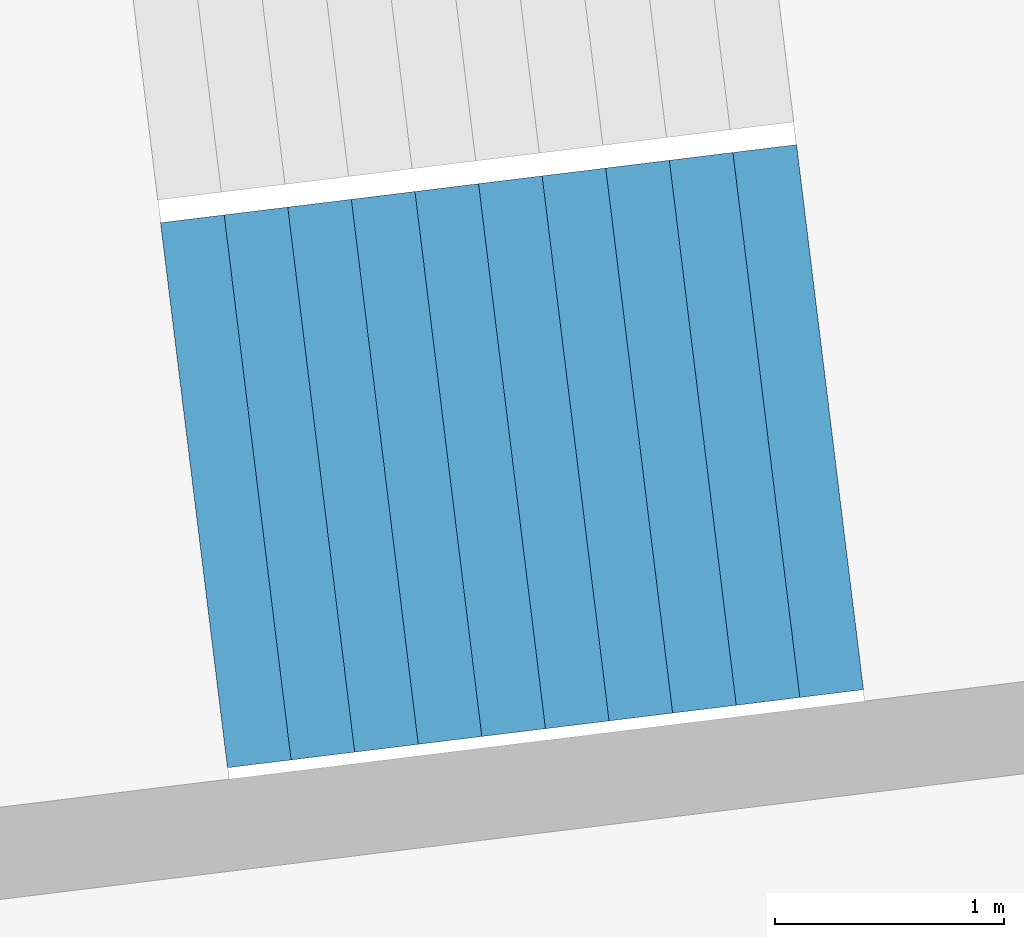
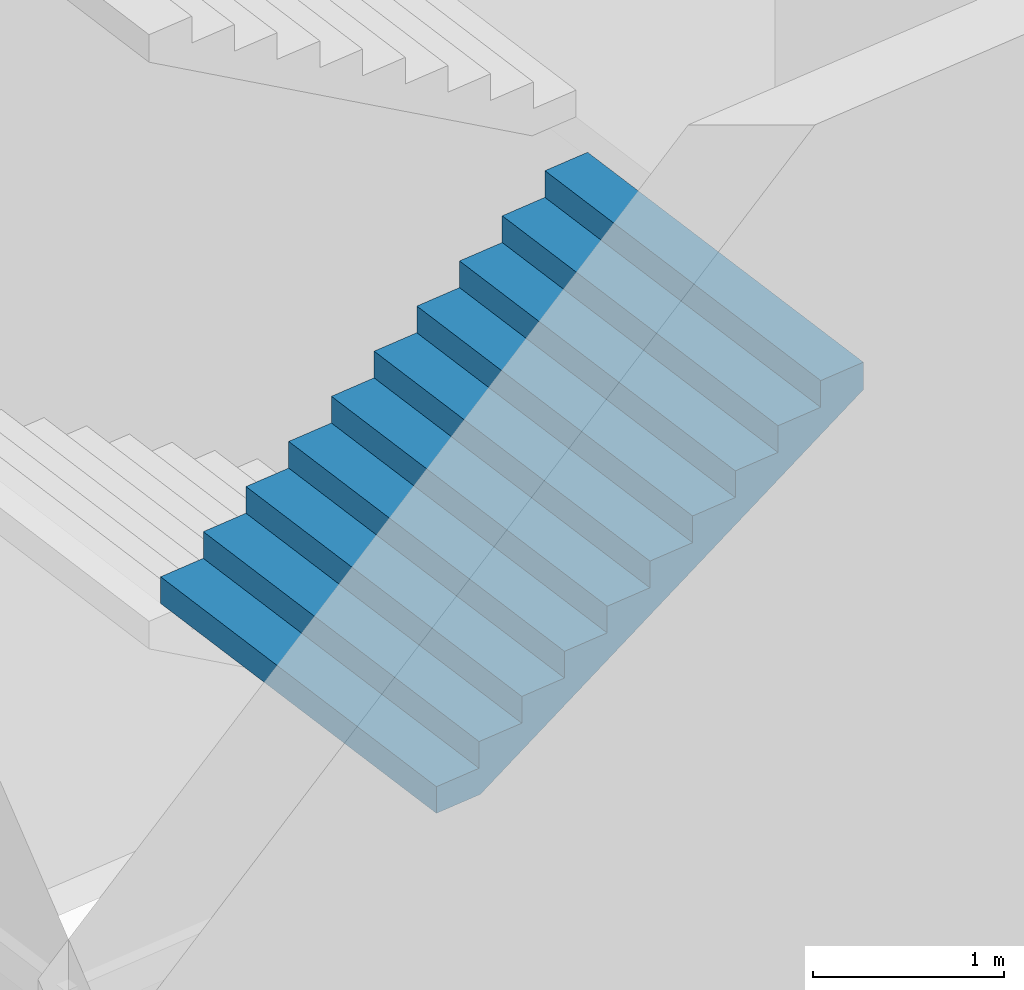
# One storey, part 58 of 73: 1 stair flight, 1 element without a shape of its own.
"""IFC4 building model written with IfcOpenShell, lengths in metres."""

from ifc_helpers import new_model, si_unit, direction, frame, origin, place, context, subcontext, project, spatial, triangles, material, type_object, element, aggregate, save


model = new_model("IFC4")

# Units and contexts
model_context = context("Model", 3, precision=1e-05, world=origin(), true_north=direction((0.0, 1.0)))
body_context = subcontext(model_context, "Body", "Model", "MODEL_VIEW")
ifc_project = project(units=[si_unit("LENGTHUNIT", "METRE"), si_unit("AREAUNIT", "SQUARE_METRE"), si_unit("VOLUMEUNIT", "CUBIC_METRE"), si_unit("PLANEANGLEUNIT", "RADIAN"), si_unit("MASSUNIT", "GRAM", prefix="KILO")], contexts=[model_context])

# Site, building, storey
site_placement = place(None, origin())
site = spatial("IfcSite", under=ifc_project, at=site_placement, CompositionType="ELEMENT")
building_placement = place(site_placement, origin())
building = spatial("IfcBuilding", under=site, at=building_placement, Name="Lantaw Convention Tower", CompositionType="ELEMENT")
storey_placement = place(building_placement, frame((0.0, 0.0, 14.5)))
storey = spatial("IfcBuildingStorey", under=building, at=storey_placement, Name="L02", CompositionType="ELEMENT", Elevation=14.5)

# Stair, stair flight
ifc_material = material(Name="Concrete C35/45", Category="concrete")
stair_type = type_object("IfcStairType", Name="Exit stair 2400 riser 170.45 in 4 flights", PredefinedType="HALF_TURN_STAIR", material=ifc_material)
stair_placement = place(storey_placement, origin())
stair = element("IfcStair", 1, at=stair_placement, inside=storey, type_object=stair_type, Name="Podium exit stair P1 L02", PredefinedType="HALF_TURN_STAIR")
stair_flight_type = type_object("IfcStairFlightType", Name="Stair flight 2400 riser 170.45", PredefinedType="STRAIGHT", material=ifc_material)
stair_flight_placement = place(storey_placement, frame((38.2763671875, 3.4404296875, 3.75), z_axis=(0.0, 0.0, 1.0), x_axis=(0.992546151641, 0.121869343405, 0.0)))
stair_flight = element("IfcStairFlight", 2, at=stair_flight_placement, type_object=stair_flight_type, Name="P1 flight 3", NumberOfRisers=11, NumberOfTreads=10, PredefinedType="STRAIGHT", RiserHeight=0.170454545, TreadLength=0.28, context=body_context, shape_type="Tessellation", body=[
    triangles([(0.0, 1.199951171875, 0.0), (0.0, 1.199951171875, 0.170454545), (0.28, 1.199951171875, 0.0), (0.28, 1.199951171875, 0.170454545), (0.28, 1.199951171875, 0.34090909), (0.28827876332691904, 1.199951171875, 0.0), (0.28827876332691904, 1.199951171875, 0.34090909), (0.56, 1.199951171875, 0.16541471344266906), (0.56, 1.199951171875, 0.34090909), (0.56, 1.199951171875, 0.511363635), (0.8400000000000001, 1.199951171875, 0.335869258442669), (0.8400000000000001, 1.199951171875, 0.511363635), (0.8400000000000001, 1.199951171875, 0.68181818), (1.12, 1.199951171875, 0.506323803442669), (1.12, 1.199951171875, 0.68181818), (1.12, 1.199951171875, 0.8522727250000001), (1.4000000000000001, 1.199951171875, 0.676778348442669), (1.4000000000000001, 1.199951171875, 0.8522727250000001), (1.4000000000000001, 1.199951171875, 1.02272727), (1.6800000000000002, 1.199951171875, 0.847232893442669), (1.6800000000000002, 1.199951171875, 1.02272727), (1.6800000000000002, 1.199951171875, 1.193181815), (1.9600000000000002, 1.199951171875, 1.017687438442669), (1.9600000000000002, 1.199951171875, 1.193181815), (1.9600000000000002, 1.199951171875, 1.36363636), (2.24, 1.199951171875, 1.188141983442669), (2.24, 1.199951171875, 1.36363636), (2.24, 1.199951171875, 1.5340909050000002), (2.5200000000000005, 1.199951171875, 1.358596528442669), (2.5200000000000005, 1.199951171875, 1.5340909050000002), (2.5200000000000005, 1.199951171875, 1.7045454500000001), (2.8000000000000003, 1.199951171875, 1.529051073442669), (2.8000000000000003, 1.199951171875, 1.7045454500000001), (0.0, -1.199951171875, 0.0), (0.0, -1.199951171875, 0.170454545), (0.28, -1.199951171875, 0.0), (0.28, -1.199951171875, 0.170454545), (0.28, -1.199951171875, 0.34090909), (0.28827876332691904, -1.199951171875, 0.0), (0.28827876332691904, -1.199951171875, 0.34090909), (0.56, -1.199951171875, 0.16541471344266906), (0.56, -1.199951171875, 0.34090909), (0.56, -1.199951171875, 0.511363635), (0.8400000000000001, -1.199951171875, 0.335869258442669), (0.8400000000000001, -1.199951171875, 0.511363635), (0.8400000000000001, -1.199951171875, 0.68181818), (1.12, -1.199951171875, 0.506323803442669), (1.12, -1.199951171875, 0.68181818), (1.12, -1.199951171875, 0.8522727250000001), (1.4000000000000001, -1.199951171875, 0.676778348442669), (1.4000000000000001, -1.199951171875, 0.8522727250000001), (1.4000000000000001, -1.199951171875, 1.02272727), (1.6800000000000002, -1.199951171875, 0.847232893442669), (1.6800000000000002, -1.199951171875, 1.02272727), (1.6800000000000002, -1.199951171875, 1.193181815), (1.9600000000000002, -1.199951171875, 1.017687438442669), (1.9600000000000002, -1.199951171875, 1.193181815), (1.9600000000000002, -1.199951171875, 1.36363636), (2.24, -1.199951171875, 1.188141983442669), (2.24, -1.199951171875, 1.36363636), (2.24, -1.199951171875, 1.5340909050000002), (2.5200000000000005, -1.199951171875, 1.358596528442669), (2.5200000000000005, -1.199951171875, 1.5340909050000002), (2.5200000000000005, -1.199951171875, 1.7045454500000001), (2.8000000000000003, -1.199951171875, 1.529051073442669), (2.8000000000000003, -1.199951171875, 1.7045454500000001), (0.0, 0.239990234375, 0.170454545), (0.0, 0.239990234375, 0.0), (0.0, 0.1199951171875, 0.170454545), (0.0, 0.1199951171875, 0.0), (0.0, 0.0, 0.170454545), (0.0, 0.0, 0.0), (0.0, -0.1199951171875, 0.170454545), (0.0, -0.1199951171875, 0.0), (0.0, -0.239990234375, 0.170454545), (0.0, -0.239990234375, 0.0), (0.28, 0.239990234375, 0.34090909), (0.28, 0.239990234375, 0.170454545), (0.28, 0.1199951171875, 0.34090909), (0.28, 0.1199951171875, 0.170454545), (0.28, 0.0, 0.34090909), (0.28, 0.0, 0.170454545), (0.28, -0.1199951171875, 0.34090909), (0.28, -0.1199951171875, 0.170454545), (0.28, -0.239990234375, 0.34090909), (0.28, -0.239990234375, 0.170454545), (0.56, 0.239990234375, 0.511363635), (0.56, 0.239990234375, 0.34090909), (0.56, 0.1199951171875, 0.511363635), (0.56, 0.1199951171875, 0.34090909), (0.56, 0.0, 0.511363635), (0.56, 0.0, 0.34090909), (0.56, -0.1199951171875, 0.511363635), (0.56, -0.1199951171875, 0.34090909), (0.56, -0.239990234375, 0.511363635), (0.56, -0.239990234375, 0.34090909), (0.8400000000000001, 0.239990234375, 0.68181818), (0.8400000000000001, 0.239990234375, 0.511363635), (0.8400000000000001, 0.1199951171875, 0.68181818), (0.8400000000000001, 0.1199951171875, 0.511363635), (0.8400000000000001, 0.0, 0.68181818), (0.8400000000000001, 0.0, 0.511363635), (0.8400000000000001, -0.1199951171875, 0.68181818), (0.8400000000000001, -0.1199951171875, 0.511363635), (0.8400000000000001, -0.239990234375, 0.68181818), (0.8400000000000001, -0.239990234375, 0.511363635), (1.12, 0.239990234375, 0.8522727250000001), (1.12, 0.239990234375, 0.68181818), (1.12, 0.1199951171875, 0.8522727250000001), (1.12, 0.1199951171875, 0.68181818), (1.12, 0.0, 0.8522727250000001), (1.12, 0.0, 0.68181818), (1.12, -0.1199951171875, 0.8522727250000001), (1.12, -0.1199951171875, 0.68181818), (1.12, -0.239990234375, 0.8522727250000001), (1.12, -0.239990234375, 0.68181818), (1.4000000000000001, 0.239990234375, 1.02272727), (1.4000000000000001, 0.239990234375, 0.8522727250000001), (1.4000000000000001, 0.1199951171875, 1.02272727), (1.4000000000000001, 0.1199951171875, 0.8522727250000001), (1.4000000000000001, 0.0, 1.02272727), (1.4000000000000001, 0.0, 0.8522727250000001), (1.4000000000000001, -0.1199951171875, 1.02272727), (1.4000000000000001, -0.1199951171875, 0.8522727250000001), (1.4000000000000001, -0.239990234375, 1.02272727), (1.4000000000000001, -0.239990234375, 0.8522727250000001), (1.6800000000000002, 0.239990234375, 1.193181815), (1.6800000000000002, 0.239990234375, 1.02272727), (1.6800000000000002, 0.1199951171875, 1.193181815), (1.6800000000000002, 0.1199951171875, 1.02272727), (1.6800000000000002, 0.0, 1.193181815), (1.6800000000000002, 0.0, 1.02272727), (1.6800000000000002, -0.1199951171875, 1.193181815), (1.6800000000000002, -0.1199951171875, 1.02272727), (1.6800000000000002, -0.239990234375, 1.193181815), (1.6800000000000002, -0.239990234375, 1.02272727), (1.9600000000000002, 0.239990234375, 1.36363636), (1.9600000000000002, 0.239990234375, 1.193181815), (1.9600000000000002, 0.1199951171875, 1.36363636), (1.9600000000000002, 0.1199951171875, 1.193181815), (1.9600000000000002, 0.0, 1.36363636), (1.9600000000000002, 0.0, 1.193181815), (1.9600000000000002, -0.1199951171875, 1.36363636), (1.9600000000000002, -0.1199951171875, 1.193181815), (1.9600000000000002, -0.239990234375, 1.36363636), (1.9600000000000002, -0.239990234375, 1.193181815), (2.24, 0.239990234375, 1.5340909050000002), (2.24, 0.239990234375, 1.36363636), (2.24, 0.1199951171875, 1.5340909050000002), (2.24, 0.1199951171875, 1.36363636), (2.24, 0.0, 1.5340909050000002), (2.24, 0.0, 1.36363636), (2.24, -0.1199951171875, 1.5340909050000002), (2.24, -0.1199951171875, 1.36363636), (2.24, -0.239990234375, 1.5340909050000002), (2.24, -0.239990234375, 1.36363636), (2.5200000000000005, 0.239990234375, 1.7045454500000001), (2.5200000000000005, 0.239990234375, 1.5340909050000002), (2.5200000000000005, 0.1199951171875, 1.7045454500000001), (2.5200000000000005, 0.1199951171875, 1.5340909050000002), (2.5200000000000005, 0.0, 1.7045454500000001), (2.5200000000000005, 0.0, 1.5340909050000002), (2.5200000000000005, -0.1199951171875, 1.7045454500000001), (2.5200000000000005, -0.1199951171875, 1.5340909050000002), (2.5200000000000005, -0.239990234375, 1.7045454500000001), (2.5200000000000005, -0.239990234375, 1.5340909050000002), (0.28827876332691904, 0.239990234375, 0.34090909), (0.28827876332691904, 0.1199951171875, 0.34090909), (0.28827876332691904, 0.0, 0.34090909), (0.28827876332691904, -0.1199951171875, 0.34090909), (0.28827876332691904, -0.239990234375, 0.34090909), (2.8000000000000003, 0.239990234375, 1.7045454500000001), (2.8000000000000003, 0.1199951171875, 1.7045454500000001), (2.8000000000000003, 0.0, 1.7045454500000001), (2.8000000000000003, -0.1199951171875, 1.7045454500000001), (2.8000000000000003, -0.239990234375, 1.7045454500000001), (2.8000000000000003, 0.239990234375, 1.5290510734426692), (2.8000000000000003, 0.1199951171875, 1.5290510734426692), (2.8000000000000003, 0.0, 1.5290510734426692), (2.8000000000000003, -0.1199951171875, 1.5290510734426692), (2.8000000000000003, -0.239990234375, 1.5290510734426692), (2.5200000000000005, 0.239990234375, 1.358596528442669), (2.5200000000000005, 0.1199951171875, 1.358596528442669), (2.5200000000000005, 0.0, 1.358596528442669), (2.5200000000000005, -0.1199951171875, 1.358596528442669), (2.5200000000000005, -0.239990234375, 1.358596528442669), (2.24, 0.239990234375, 1.188141983442669), (2.24, 0.1199951171875, 1.188141983442669), (2.24, 0.0, 1.188141983442669), (2.24, -0.1199951171875, 1.188141983442669), (2.24, -0.239990234375, 1.188141983442669), (1.9600000000000002, 0.239990234375, 1.017687438442669), (1.9600000000000002, 0.1199951171875, 1.017687438442669), (1.9600000000000002, 0.0, 1.017687438442669), (1.9600000000000002, -0.1199951171875, 1.017687438442669), (1.9600000000000002, -0.239990234375, 1.017687438442669), (1.6800000000000002, 0.239990234375, 0.847232893442669), (1.6800000000000002, 0.1199951171875, 0.847232893442669), (1.6800000000000002, 0.0, 0.847232893442669), (1.6800000000000002, -0.1199951171875, 0.847232893442669), (1.6800000000000002, -0.239990234375, 0.847232893442669), (1.4000000000000001, 0.239990234375, 0.676778348442669), (1.4000000000000001, 0.1199951171875, 0.676778348442669), (1.4000000000000001, 0.0, 0.676778348442669), (1.4000000000000001, -0.1199951171875, 0.676778348442669), (1.4000000000000001, -0.239990234375, 0.676778348442669), (1.12, 0.239990234375, 0.506323803442669), (1.12, 0.1199951171875, 0.506323803442669), (1.12, 0.0, 0.506323803442669), (1.12, -0.1199951171875, 0.506323803442669), (1.12, -0.239990234375, 0.506323803442669), (0.8400000000000001, 0.239990234375, 0.335869258442669), (0.8400000000000001, 0.1199951171875, 0.335869258442669), (0.8400000000000001, 0.0, 0.335869258442669), (0.8400000000000001, -0.1199951171875, 0.335869258442669), (0.8400000000000001, -0.239990234375, 0.335869258442669), (0.56, 0.239990234375, 0.16541471344266906), (0.56, 0.1199951171875, 0.16541471344266906), (0.56, 0.0, 0.16541471344266906), (0.56, -0.1199951171875, 0.16541471344266906), (0.56, -0.239990234375, 0.16541471344266906), (0.28827876332691904, 0.239990234375, 0.0), (0.28827876332691904, 0.1199951171875, 0.0), (0.28827876332691904, 0.0, 0.0), (0.28827876332691904, -0.1199951171875, 0.0), (0.28827876332691904, -0.239990234375, 0.0), (0.28, 0.239990234375, 0.0), (0.28, 0.1199951171875, 0.0), (0.28, 0.0, 0.0), (0.28, -0.1199951171875, 0.0), (0.28, -0.239990234375, 0.0)], [[1, 4, 3], [1, 2, 4], [3, 4, 6], [4, 7, 6], [4, 5, 7], [6, 9, 8], [6, 7, 9], [8, 9, 11], [9, 12, 11], [9, 10, 12], [11, 12, 14], [12, 15, 14], [12, 13, 15], [14, 15, 17], [15, 18, 17], [15, 16, 18], [17, 18, 20], [18, 21, 20], [18, 19, 21], [20, 21, 23], [21, 24, 23], [21, 22, 24], [23, 24, 26], [24, 27, 26], [24, 25, 27], [26, 27, 29], [27, 30, 29], [27, 28, 30], [29, 30, 32], [30, 33, 32], [30, 31, 33], [34, 36, 37], [34, 37, 35], [36, 39, 37], [37, 39, 40], [37, 40, 38], [39, 41, 42], [39, 42, 40], [41, 44, 42], [42, 44, 45], [42, 45, 43], [44, 47, 45], [45, 47, 48], [45, 48, 46], [47, 50, 48], [48, 50, 51], [48, 51, 49], [50, 53, 51], [51, 53, 54], [51, 54, 52], [53, 56, 54], [54, 56, 57], [54, 57, 55], [56, 59, 57], [57, 59, 60], [57, 60, 58], [59, 62, 60], [60, 62, 63], [60, 63, 61], [62, 65, 63], [63, 65, 66], [63, 66, 64], [1, 67, 2], [1, 68, 67], [68, 69, 67], [68, 70, 69], [70, 71, 69], [70, 72, 71], [72, 73, 71], [72, 74, 73], [74, 75, 73], [74, 76, 75], [76, 35, 75], [76, 34, 35], [4, 77, 5], [4, 78, 77], [78, 79, 77], [78, 80, 79], [80, 81, 79], [80, 82, 81], [82, 83, 81], [82, 84, 83], [84, 85, 83], [84, 86, 85], [86, 38, 85], [86, 37, 38], [9, 87, 10], [9, 88, 87], [88, 89, 87], [88, 90, 89], [90, 91, 89], [90, 92, 91], [92, 93, 91], [92, 94, 93], [94, 95, 93], [94, 96, 95], [96, 43, 95], [96, 42, 43], [12, 97, 13], [12, 98, 97], [98, 99, 97], [98, 100, 99], [100, 101, 99], [100, 102, 101], [102, 103, 101], [102, 104, 103], [104, 105, 103], [104, 106, 105], [106, 46, 105], [106, 45, 46], [15, 107, 16], [15, 108, 107], [108, 109, 107], [108, 110, 109], [110, 111, 109], [110, 112, 111], [112, 113, 111], [112, 114, 113], [114, 115, 113], [114, 116, 115], [116, 49, 115], [116, 48, 49], [18, 117, 19], [18, 118, 117], [118, 119, 117], [118, 120, 119], [120, 121, 119], [120, 122, 121], [122, 123, 121], [122, 124, 123], [124, 125, 123], [124, 126, 125], [126, 52, 125], [126, 51, 52], [21, 127, 22], [21, 128, 127], [128, 129, 127], [128, 130, 129], [130, 131, 129], [130, 132, 131], [132, 133, 131], [132, 134, 133], [134, 135, 133], [134, 136, 135], [136, 55, 135], [136, 54, 55], [24, 137, 25], [24, 138, 137], [138, 139, 137], [138, 140, 139], [140, 141, 139], [140, 142, 141], [142, 143, 141], [142, 144, 143], [144, 145, 143], [144, 146, 145], [146, 58, 145], [146, 57, 58], [27, 147, 28], [27, 148, 147], [148, 149, 147], [148, 150, 149], [150, 151, 149], [150, 152, 151], [152, 153, 151], [152, 154, 153], [154, 155, 153], [154, 156, 155], [156, 61, 155], [156, 60, 61], [30, 157, 31], [30, 158, 157], [158, 159, 157], [158, 160, 159], [160, 161, 159], [160, 162, 161], [162, 163, 161], [162, 164, 163], [164, 165, 163], [164, 166, 165], [166, 64, 165], [166, 63, 64], [2, 78, 4], [2, 67, 78], [67, 80, 78], [67, 69, 80], [69, 82, 80], [69, 71, 82], [71, 84, 82], [71, 73, 84], [73, 86, 84], [73, 75, 86], [75, 37, 86], [75, 35, 37], [5, 167, 7], [5, 77, 167], [77, 168, 167], [77, 79, 168], [79, 169, 168], [79, 81, 169], [81, 170, 169], [81, 83, 170], [83, 171, 170], [83, 85, 171], [85, 40, 171], [85, 38, 40], [7, 88, 9], [7, 167, 88], [167, 90, 88], [167, 168, 90], [168, 92, 90], [168, 169, 92], [169, 94, 92], [169, 170, 94], [170, 96, 94], [170, 171, 96], [171, 42, 96], [171, 40, 42], [10, 98, 12], [10, 87, 98], [87, 100, 98], [87, 89, 100], [89, 102, 100], [89, 91, 102], [91, 104, 102], [91, 93, 104], [93, 106, 104], [93, 95, 106], [95, 45, 106], [95, 43, 45], [13, 108, 15], [13, 97, 108], [97, 110, 108], [97, 99, 110], [99, 112, 110], [99, 101, 112], [101, 114, 112], [101, 103, 114], [103, 116, 114], [103, 105, 116], [105, 48, 116], [105, 46, 48], [16, 118, 18], [16, 107, 118], [107, 120, 118], [107, 109, 120], [109, 122, 120], [109, 111, 122], [111, 124, 122], [111, 113, 124], [113, 126, 124], [113, 115, 126], [115, 51, 126], [115, 49, 51], [19, 128, 21], [19, 117, 128], [117, 130, 128], [117, 119, 130], [119, 132, 130], [119, 121, 132], [121, 134, 132], [121, 123, 134], [123, 136, 134], [123, 125, 136], [125, 54, 136], [125, 52, 54], [22, 138, 24], [22, 127, 138], [127, 140, 138], [127, 129, 140], [129, 142, 140], [129, 131, 142], [131, 144, 142], [131, 133, 144], [133, 146, 144], [133, 135, 146], [135, 57, 146], [135, 55, 57], [25, 148, 27], [25, 137, 148], [137, 150, 148], [137, 139, 150], [139, 152, 150], [139, 141, 152], [141, 154, 152], [141, 143, 154], [143, 156, 154], [143, 145, 156], [145, 60, 156], [145, 58, 60], [28, 158, 30], [28, 147, 158], [147, 160, 158], [147, 149, 160], [149, 162, 160], [149, 151, 162], [151, 164, 162], [151, 153, 164], [153, 166, 164], [153, 155, 166], [155, 63, 166], [155, 61, 63], [31, 172, 33], [31, 157, 172], [157, 173, 172], [157, 159, 173], [159, 174, 173], [159, 161, 174], [161, 175, 174], [161, 163, 175], [163, 176, 175], [163, 165, 176], [165, 66, 176], [165, 64, 66], [33, 177, 32], [33, 172, 177], [172, 178, 177], [172, 173, 178], [173, 179, 178], [173, 174, 179], [174, 180, 179], [174, 175, 180], [175, 181, 180], [175, 176, 181], [176, 65, 181], [176, 66, 65], [32, 182, 29], [32, 177, 182], [177, 183, 182], [177, 178, 183], [178, 184, 183], [178, 179, 184], [179, 185, 184], [179, 180, 185], [180, 186, 185], [180, 181, 186], [181, 62, 186], [181, 65, 62], [29, 187, 26], [29, 182, 187], [182, 188, 187], [182, 183, 188], [183, 189, 188], [183, 184, 189], [184, 190, 189], [184, 185, 190], [185, 191, 190], [185, 186, 191], [186, 59, 191], [186, 62, 59], [26, 192, 23], [26, 187, 192], [187, 193, 192], [187, 188, 193], [188, 194, 193], [188, 189, 194], [189, 195, 194], [189, 190, 195], [190, 196, 195], [190, 191, 196], [191, 56, 196], [191, 59, 56], [23, 197, 20], [23, 192, 197], [192, 198, 197], [192, 193, 198], [193, 199, 198], [193, 194, 199], [194, 200, 199], [194, 195, 200], [195, 201, 200], [195, 196, 201], [196, 53, 201], [196, 56, 53], [20, 202, 17], [20, 197, 202], [197, 203, 202], [197, 198, 203], [198, 204, 203], [198, 199, 204], [199, 205, 204], [199, 200, 205], [200, 206, 205], [200, 201, 206], [201, 50, 206], [201, 53, 50], [17, 207, 14], [17, 202, 207], [202, 208, 207], [202, 203, 208], [203, 209, 208], [203, 204, 209], [204, 210, 209], [204, 205, 210], [205, 211, 210], [205, 206, 211], [206, 47, 211], [206, 50, 47], [14, 212, 11], [14, 207, 212], [207, 213, 212], [207, 208, 213], [208, 214, 213], [208, 209, 214], [209, 215, 214], [209, 210, 215], [210, 216, 215], [210, 211, 216], [211, 44, 216], [211, 47, 44], [11, 217, 8], [11, 212, 217], [212, 218, 217], [212, 213, 218], [213, 219, 218], [213, 214, 219], [214, 220, 219], [214, 215, 220], [215, 221, 220], [215, 216, 221], [216, 41, 221], [216, 44, 41], [8, 222, 6], [8, 217, 222], [217, 223, 222], [217, 218, 223], [218, 224, 223], [218, 219, 224], [219, 225, 224], [219, 220, 225], [220, 226, 225], [220, 221, 226], [221, 39, 226], [221, 41, 39], [6, 227, 3], [6, 222, 227], [222, 228, 227], [222, 223, 228], [223, 229, 228], [223, 224, 229], [224, 230, 229], [224, 225, 230], [225, 231, 230], [225, 226, 231], [226, 36, 231], [226, 39, 36], [3, 68, 1], [3, 227, 68], [227, 70, 68], [227, 228, 70], [228, 72, 70], [228, 229, 72], [229, 74, 72], [229, 230, 74], [230, 76, 74], [230, 231, 76], [231, 34, 76], [231, 36, 34]], closed=True),
])
aggregate(stair, [stair_flight])

save(model, "model.ifc")
